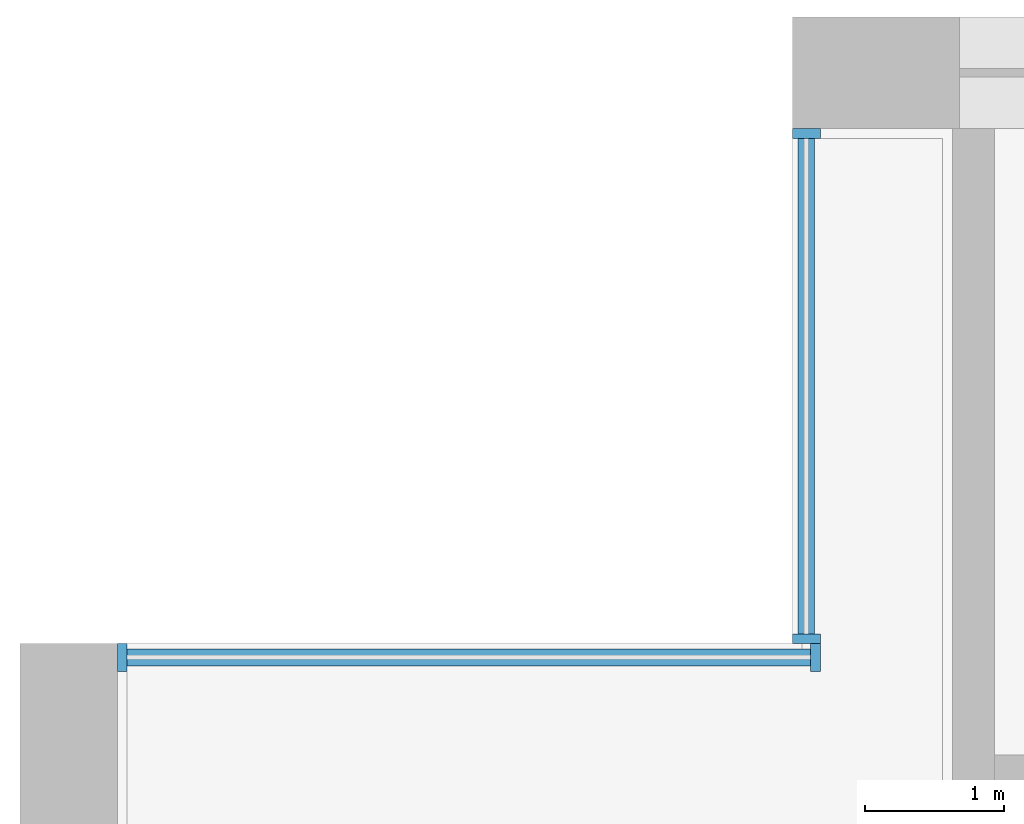
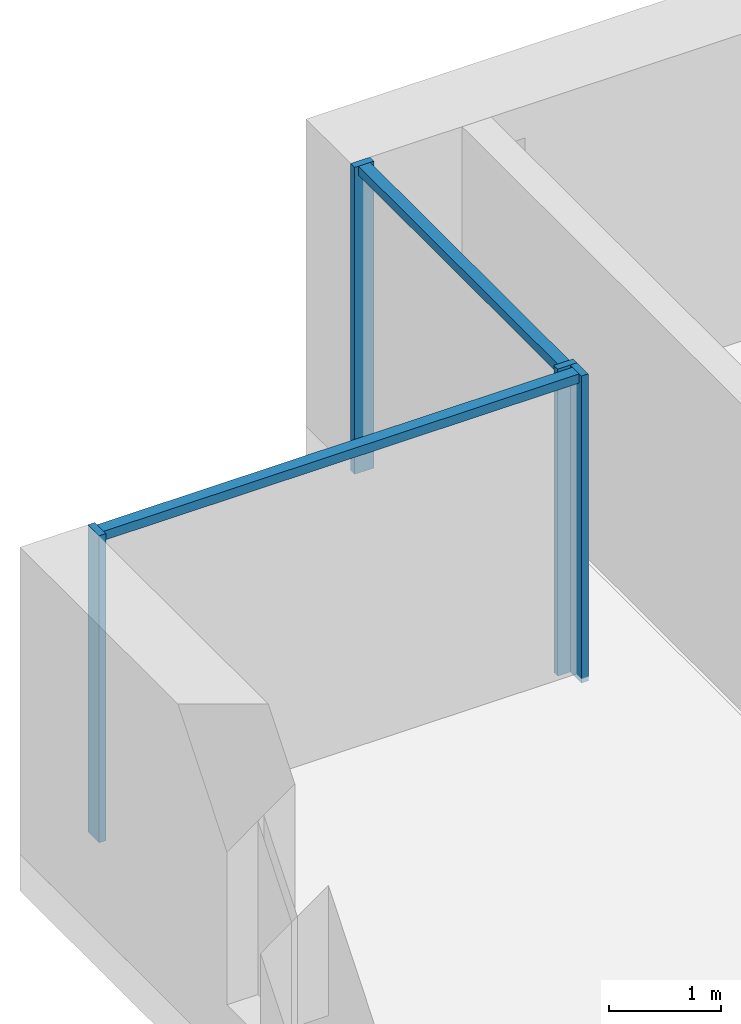
# One storey, part 4 of 15: 6 members, 2 elements without a shape of their own.
"""IFC4 building model written with IfcOpenShell, lengths in metres."""

from ifc_helpers import new_model, si_unit, direction, frame, origin, origin_2d, place, context, subcontext, project, spatial, rectangle, extrude, material, material_profile, profile_set, type_object, element, aggregate, save


model = new_model("IFC4")

# Units and contexts
model_context = context("Model", 3, precision=1e-05, world=origin(), true_north=direction((0.0, 1.0)))
body_context = subcontext(model_context, "Body", "Model", "MODEL_VIEW")
ifc_project = project(units=[si_unit("LENGTHUNIT", "METRE"), si_unit("AREAUNIT", "SQUARE_METRE"), si_unit("VOLUMEUNIT", "CUBIC_METRE"), si_unit("PLANEANGLEUNIT", "RADIAN"), si_unit("MASSUNIT", "GRAM", prefix="KILO")], contexts=[model_context])

# Site, building, storey
site_placement = place(None, origin())
site = spatial("IfcSite", under=ifc_project, at=site_placement, CompositionType="ELEMENT")
building_placement = place(site_placement, origin())
building = spatial("IfcBuilding", under=site, at=building_placement, Name="Calvaro Tower", CompositionType="ELEMENT")
storey_placement = place(building_placement, frame((0.0, 0.0, 151.25)))
storey = spatial("IfcBuildingStorey", under=building, at=storey_placement, Name="L38", CompositionType="ELEMENT", Elevation=151.25)

# Curtain wall, members
ifc_material_1 = material(Name="Anodised aluminium", Category="aluminium")
curtain_wall_type = type_object("IfcCurtainWallType", Name="Office curtain wall, middle zone", PredefinedType="NOTDEFINED", material=ifc_material_1)
curtain_wall_1_placement = place(storey_placement, origin())
curtain_wall_1 = element("IfcCurtainWall", 1, at=curtain_wall_1_placement, inside=storey, type_object=curtain_wall_type, Name="CW2 corner curtain wall", PredefinedType="NOTDEFINED")
ifc_material_2 = material(Name="Anodised aluminium", Category="aluminium")
ifc_material_profile_1 = material_profile(ifc_material_2, rectangle(XDim=0.199951171875, YDim=0.070068359375, at=origin_2d()), Name="Mullion S2 70 x 200")
ifc_profile_set_1 = profile_set([ifc_material_profile_1], Name="Anodised aluminium")
member_type_1 = type_object("IfcMemberType", Name="Mullion S2 70 x 200", PredefinedType="MULLION", material=ifc_profile_set_1)
member_1_placement = place(storey_placement, frame((5.64990234375, 41.534912109375, 0.0), z_axis=(0.0, 0.0, 1.0), x_axis=(-1.0, 0.0, 0.0)))
member_1 = element("IfcMember", 2, at=member_1_placement, type_object=member_type_1, Name="CW2 mullion 1", PredefinedType="MULLION", context=body_context, shape_type="SweptSolid", body=[
    extrude(rectangle(XDim=0.199951171875, YDim=0.070068359375, at=origin_2d()), origin(), (0.0, 0.0, 1.0), 3.35009765625),
])
member_2_placement = place(storey_placement, frame((5.64990234375, 45.1650390625, 0.0), z_axis=(0.0, 0.0, 1.0), x_axis=(-1.0, 0.0, 0.0)))
member_2 = element("IfcMember", 3, at=member_2_placement, type_object=member_type_1, Name="CW2 mullion 2", PredefinedType="MULLION", context=body_context, shape_type="SweptSolid", body=[
    extrude(rectangle(XDim=0.199951171875, YDim=0.070068359375, at=origin_2d()), origin(), (0.0, 0.0, 1.0), 3.35009765625),
])

curtain_wall_2_placement = place(storey_placement, origin())
curtain_wall_2 = element("IfcCurtainWall", 4, at=curtain_wall_2_placement, inside=storey, type_object=curtain_wall_type, Name="CW2 corner curtain wall", PredefinedType="NOTDEFINED")
member_3_placement = place(storey_placement, frame((0.735107421875, 41.39990234375, 0.0), z_axis=(0.0, 0.0, 1.0), x_axis=(0.0, 1.0, 0.0)))
member_3 = element("IfcMember", 5, at=member_3_placement, type_object=member_type_1, Name="CW2 mullion 1", PredefinedType="MULLION", context=body_context, shape_type="SweptSolid", body=[
    extrude(rectangle(XDim=0.199951171875, YDim=0.070068359375, at=origin_2d()), origin(), (0.0, 0.0, 1.0), 3.35009765625),
])
member_4_placement = place(storey_placement, frame((5.715087890625, 41.39990234375, 0.0), z_axis=(0.0, 0.0, 1.0), x_axis=(0.0, 1.0, 0.0)))
member_4 = element("IfcMember", 6, at=member_4_placement, type_object=member_type_1, Name="CW2 mullion 2", PredefinedType="MULLION", context=body_context, shape_type="SweptSolid", body=[
    extrude(rectangle(XDim=0.199951171875, YDim=0.070068359375, at=origin_2d()), origin(), (0.0, 0.0, 1.0), 3.35009765625),
])

# Member
ifc_material_3 = material(Name="Anodised aluminium", Category="aluminium")
ifc_material_profile_2 = material_profile(ifc_material_3, rectangle(XDim=0.1201171875, YDim=0.10009765625, at=origin_2d()), Name="Transom S2 100 x 120")
ifc_profile_set_2 = profile_set([ifc_material_profile_2], Name="Anodised aluminium")
member_type_2 = type_object("IfcMemberType", Name="Transom S2 100 x 120", PredefinedType="USERDEFINED", material=ifc_profile_set_2)
member_5_placement = place(storey_placement, frame((5.64990234375, 41.570068359375, 3.300048828125), z_axis=(0.0, 1.0, 0.0), x_axis=(-1.0, 0.0, 0.0)))
member_5 = element("IfcMember", 7, at=member_5_placement, type_object=member_type_2, Name="CW2 transom 1.1", ObjectType="TRANSOM", PredefinedType="USERDEFINED", context=body_context, shape_type="SweptSolid", body=[
    extrude(rectangle(XDim=0.1201171875, YDim=0.10009765625, at=origin_2d()), origin(), (0.0, 0.0, 1.0), 3.559814453125),
])

aggregate(curtain_wall_1, [member_1, member_2, member_5])

member_6_placement = place(storey_placement, frame((0.77001953125, 41.39990234375, 3.300048828125), z_axis=(1.0, 0.0, 0.0), x_axis=(0.0, 1.0, 0.0)))
member_6 = element("IfcMember", 8, at=member_6_placement, type_object=member_type_2, Name="CW2 transom 1.1", ObjectType="TRANSOM", PredefinedType="USERDEFINED", context=body_context, shape_type="SweptSolid", body=[
    extrude(rectangle(XDim=0.1201171875, YDim=0.10009765625, at=origin_2d()), origin(), (0.0, 0.0, 1.0), 4.909912109375),
])

aggregate(curtain_wall_2, [member_3, member_4, member_6])

save(model, "model.ifc")
